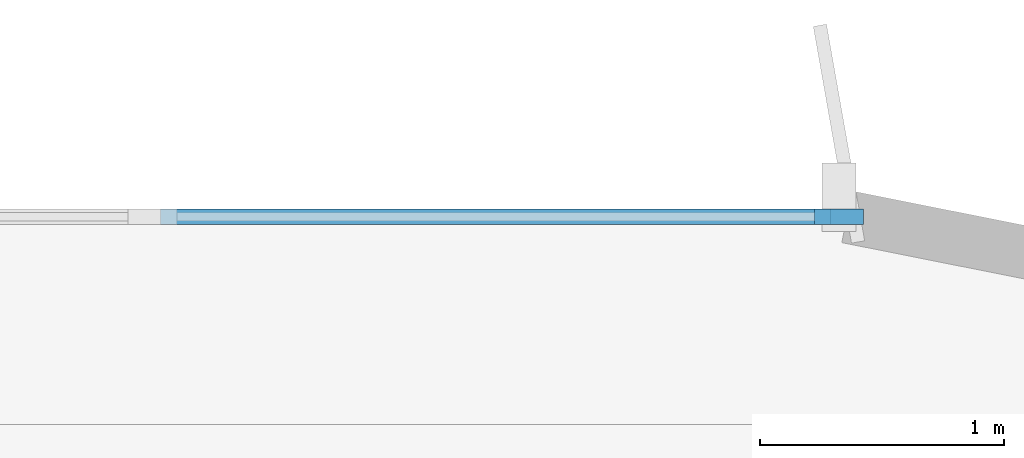
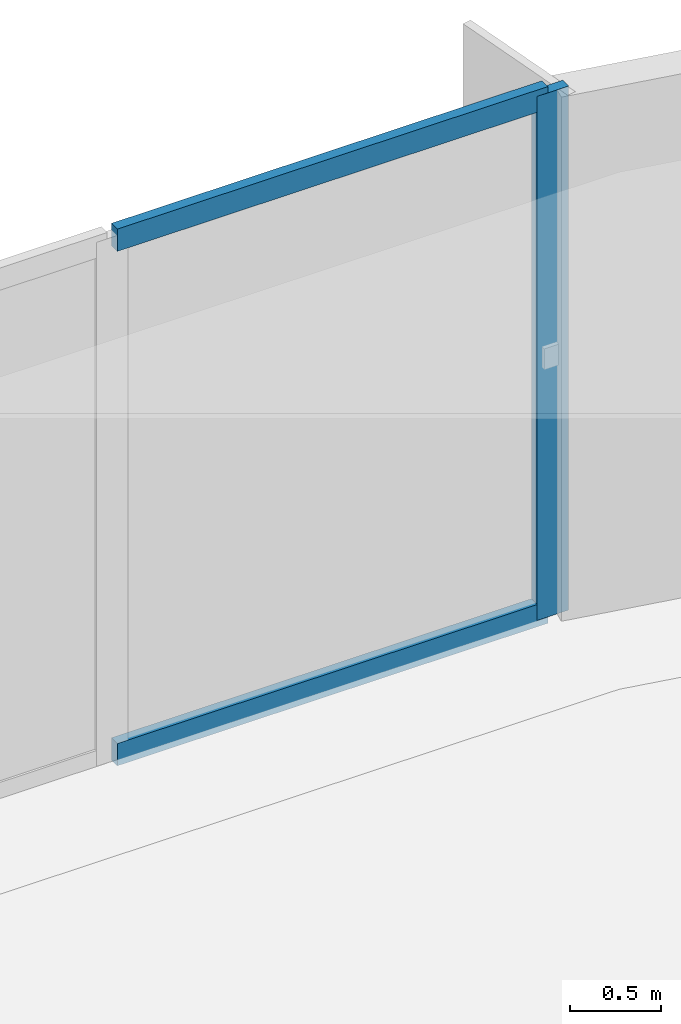
# One storey, part 8 of 17: 3 members, 1 element without a shape of its own.
"""IFC4 building model written with IfcOpenShell, lengths in metres."""

from ifc_helpers import new_model, si_unit, direction, frame, origin, origin_2d, place, context, subcontext, project, spatial, rectangle, extrude, source, transform, mapped, material, layer, layer_set, material_profile, profile_set, type_object, element, aggregate, save


model = new_model("IFC4")

# Units and contexts
model_context = context("Model", 3, precision=1e-05, world=origin(), true_north=direction((0.0, 1.0)))
body_context = subcontext(model_context, "Body", "Model", "MODEL_VIEW")
ifc_project = project(units=[si_unit("LENGTHUNIT", "METRE"), si_unit("AREAUNIT", "SQUARE_METRE"), si_unit("VOLUMEUNIT", "CUBIC_METRE"), si_unit("PLANEANGLEUNIT", "RADIAN"), si_unit("MASSUNIT", "GRAM", prefix="KILO")], contexts=[model_context])

# Site, building, storey
site_placement = place(None, origin())
site = spatial("IfcSite", under=ifc_project, at=site_placement, CompositionType="ELEMENT")
building_placement = place(site_placement, origin())
building = spatial("IfcBuilding", under=site, at=building_placement, Name="Brelvock Crest Care Tower", CompositionType="ELEMENT")
storey_placement = place(building_placement, frame((0.0, 0.0, 53.4599609375)))
storey = spatial("IfcBuildingStorey", under=building, at=storey_placement, Name="L13", CompositionType="ELEMENT", Elevation=53.4599609375)

# Curtain wall, members
ifc_material_1 = material(Name="Dark Glass Double Glazed Low-E", Category="glass")
ifc_layer = layer(ifc_material_1, 0.195068359375, Name="CWS-2")
ifc_layer_set = layer_set([ifc_layer], Name="Dark Glass Double Glazed Low-E")
curtain_wall_type = type_object("IfcCurtainWallType", Name="CWS-2", PredefinedType="NOTDEFINED", material=ifc_layer_set)
curtain_wall_placement = place(storey_placement, origin())
curtain_wall = element("IfcCurtainWall", 1, at=curtain_wall_placement, inside=storey, type_object=curtain_wall_type, Name="L13 Curtain Wall E30", PredefinedType="NOTDEFINED")
ifc_material_2 = material(Name="Aluminium 6063-T6", Category="aluminium")
ifc_material_profile_1 = material_profile(ifc_material_2, rectangle(XDim=0.06494140625, YDim=0.199951171875, at=origin_2d()), Name="ALU65x200")
ifc_profile_set_1 = profile_set([ifc_material_profile_1], Name="Aluminium 6063-T6")
member_type_1 = type_object("IfcMemberType", Name="CWM-1", PredefinedType="MULLION", material=ifc_profile_set_1)
shared_shape_1 = source(origin(), body_context, "Body", "SweptSolid", [
    extrude(rectangle(XDim=0.06494140625, YDim=0.199951171875, at=origin_2d()), origin(), (0.0, 0.0, 1.0), 3.530029296875),
])
member_1_placement = place(storey_placement, frame((56.767578125, 36.0, 0.0), z_axis=(0.0, 0.0, 1.0), x_axis=(0.0, 1.0, 0.0)))
member_1 = element("IfcMember", 2, at=member_1_placement, type_object=member_type_1, Name="CW-2 mullion 6", PredefinedType="MULLION", context=body_context, shape_type="MappedRepresentation", body=[
    mapped(shared_shape_1, transform((0.0, 0.0, 0.0), x_axis=(1.0, 0.0, 0.0), y_axis=(0.0, 1.0, 0.0), z_axis=(0.0, 0.0, 1.0), scale=1.0)),
])
ifc_material_profile_2 = material_profile(ifc_material_2, rectangle(XDim=0.06494140625, YDim=0.14990234375, at=origin_2d()), Name="ALU65x150")
ifc_profile_set_2 = profile_set([ifc_material_profile_2], Name="Aluminium 6063-T6")
member_type_2 = type_object("IfcMemberType", Name="CWT-1", PredefinedType="USERDEFINED", material=ifc_profile_set_2)
shared_shape_2 = source(origin(), body_context, "Body", "SweptSolid", [
    extrude(rectangle(XDim=0.06494140625, YDim=0.14990234375, at=origin_2d()), origin(), (0.0, 0.0, 1.0), 2.74267578125),
])
member_2_placement = place(storey_placement, frame((53.992431640625, 36.0, 0.032470703125), z_axis=(1.0, 0.0, 0.0), x_axis=(0.0, 1.0, 0.0)))
member_2 = element("IfcMember", 3, at=member_2_placement, type_object=member_type_2, Name="CW-2 transom 5.1", ObjectType="TRANSOM", PredefinedType="USERDEFINED", context=body_context, shape_type="MappedRepresentation", body=[
    mapped(shared_shape_2, transform((0.0, 0.0, 0.0), x_axis=(1.0, 0.0, 0.0), y_axis=(0.0, 1.0, 0.0), z_axis=(0.0, 0.0, 1.0), scale=1.0)),
])
member_3_placement = place(storey_placement, frame((53.992431640625, 36.0, 3.49755859375), z_axis=(1.0, 0.0, 0.0), x_axis=(0.0, 1.0, 0.0)))
member_3 = element("IfcMember", 4, at=member_3_placement, type_object=member_type_2, Name="CW-2 transom 5.2", ObjectType="TRANSOM", PredefinedType="USERDEFINED", context=body_context, shape_type="MappedRepresentation", body=[
    mapped(shared_shape_2, transform((0.0, 0.0, 0.0), x_axis=(1.0, 0.0, 0.0), y_axis=(0.0, 1.0, 0.0), z_axis=(0.0, 0.0, 1.0), scale=1.0)),
])
aggregate(curtain_wall, [member_1, member_2, member_3])

save(model, "model.ifc")
